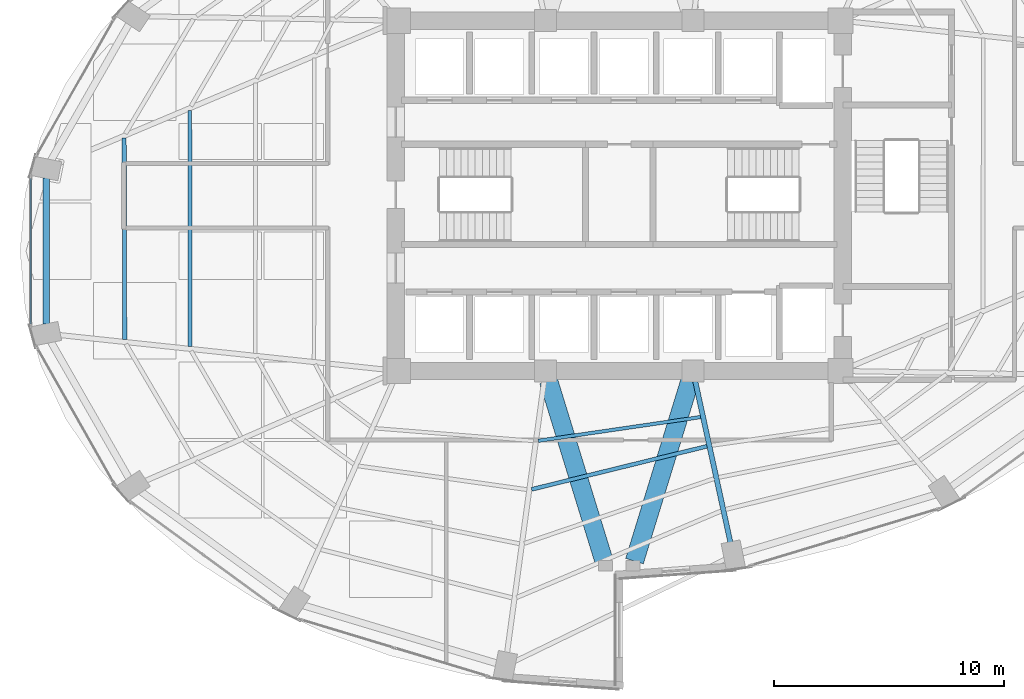
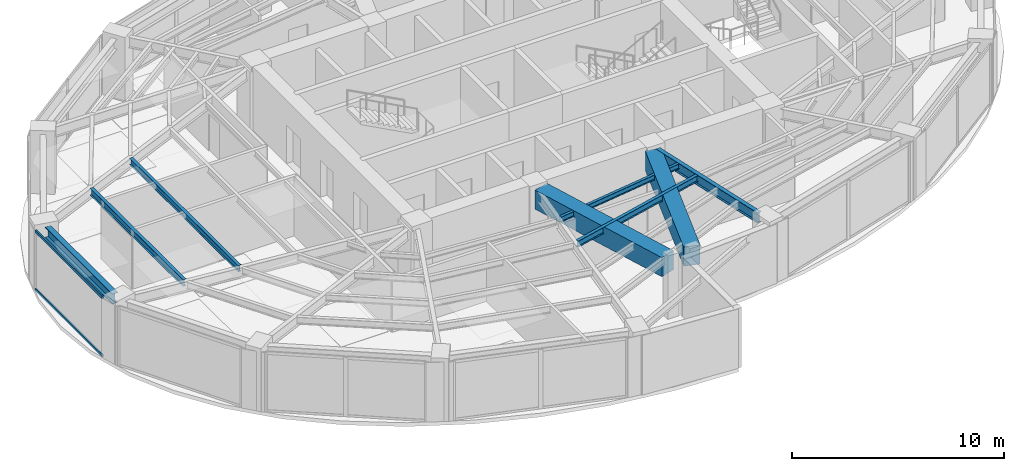
# One storey, part 7 of 23: 8 beams, 2 members, 1 element without a shape of its own.
"""IFC4 building model written with IfcOpenShell, lengths in metres."""

from ifc_helpers import new_model, si_unit, direction, frame, origin, origin_2d, place, context, subcontext, project, spatial, rectangle, hollow_rectangle, i_section, extrude, material, layer, layer_set, material_profile, profile_set, type_object, element, aggregate, save


model = new_model("IFC4")

# Units and contexts
model_context = context("Model", 3, precision=1e-05, world=origin(), true_north=direction((0.0, 1.0)))
body_context = subcontext(model_context, "Body", "Model", "MODEL_VIEW")
ifc_project = project(units=[si_unit("LENGTHUNIT", "METRE"), si_unit("AREAUNIT", "SQUARE_METRE"), si_unit("VOLUMEUNIT", "CUBIC_METRE"), si_unit("PLANEANGLEUNIT", "RADIAN"), si_unit("MASSUNIT", "GRAM", prefix="KILO")], contexts=[model_context])

# Site, building, storey
site_placement = place(None, origin())
site = spatial("IfcSite", under=ifc_project, at=site_placement, CompositionType="ELEMENT")
building_placement = place(site_placement, origin())
building = spatial("IfcBuilding", under=site, at=building_placement, Name="Lazwardi Medical Tower", CompositionType="ELEMENT")
storey_placement = place(building_placement, frame((0.0, 0.0, 121.8720703125)))
storey = spatial("IfcBuildingStorey", under=building, at=storey_placement, Name="L31", CompositionType="ELEMENT", Elevation=121.8720703125)

# Beams
ifc_material_1 = material(Name="Concrete C70/85", Category="concrete")
ifc_material_profile_1 = material_profile(ifc_material_1, rectangle(XDim=0.800048828125, YDim=1.10009765625, at=origin_2d()), Name="RC 800x1100")
ifc_profile_set_1 = profile_set([ifc_material_profile_1], Name="Concrete C70/85")
beam_type_1 = type_object("IfcBeamType", Name="BM-CB-RC1", PredefinedType="LINTEL", material=ifc_profile_set_1)
for number, where, z_axis, x_axis, name in (
    (1, (32.935302734375, 19.960205078125, 2.8779296875), (0.294073251002, -0.955782884888, 0.0), (0.955782884888, 0.294073251002, 0.0), "Core coupling lintel CB-01 PL3 L31"),
    (2, (39.064697265625, 19.960205078125, 2.8779296875), (-0.294073251002, -0.955782884888, 0.0), (0.955782884888, -0.294073251002, 0.0), "Core coupling lintel CB-01 PL4 L31"),
):
    element("IfcBeam", number, at=place(storey_placement, frame(where, z_axis=z_axis, x_axis=x_axis)), inside=storey, type_object=beam_type_1, Name=name, PredefinedType="LINTEL", context=body_context, shape_type="SweptSolid", body=[
        extrude(rectangle(XDim=0.800048828125, YDim=1.10009765625, at=origin_2d()), origin(), (0.0, 0.0, 1.0), 8.1708984375),
    ])
ifc_material_2 = material(Name="Steel S355", Category="steel")
ifc_material_profile_2 = material_profile(ifc_material_2, i_section(OverallWidth=0.300048828125, OverallDepth=0.60009765625, WebThickness=0.015380859375, FlangeThickness=0.030029296875, at=origin_2d()), Name="HEB 600")
ifc_profile_set_2 = profile_set([ifc_material_profile_2], Name="Steel S355")
beam_type_2 = type_object("IfcBeamType", Name="BM-RB-Z2", PredefinedType="BEAM", material=ifc_profile_set_2)
beam_1_placement = place(storey_placement, frame((11.13720703125, 28.77001953125, 3.1279296875), z_axis=(0.0, -1.0, 0.0), x_axis=(1.0, 0.0, 0.0)))
element("IfcBeam", 3, at=beam_1_placement, inside=storey, type_object=beam_type_2, Name="Ring beam RB-03 B12 L31", PredefinedType="BEAM", context=body_context, shape_type="SweptSolid", body=[
    extrude(i_section(OverallWidth=0.300048828125, OverallDepth=0.60009765625, WebThickness=0.015380859375, FlangeThickness=0.030029296875, at=origin_2d()), origin(), (0.0, 0.0, 1.0), 6.33984375),
])
ifc_material_profile_3 = material_profile(ifc_material_2, i_section(OverallWidth=0.219970703125, OverallDepth=0.60009765625, WebThickness=0.011962890625, FlangeThickness=0.01904296875, at=origin_2d()), Name="IPE 600")
ifc_profile_set_3 = profile_set([ifc_material_profile_3], Name="Steel S355")
beam_type_3 = type_object("IfcBeamType", Name="BM-RG-W1", PredefinedType="BEAM", material=ifc_profile_set_3)
beam_2_placement = place(storey_placement, frame((40.82177734375, 12.96923828125, 3.1279296875), z_axis=(-0.213228150441, 0.977002433907, 0.0), x_axis=(-0.977002433907, -0.213228150441, 0.0)))
element("IfcBeam", 4, at=beam_2_placement, inside=storey, type_object=beam_type_3, Name="Radial girder RG-02 R01 L31", PredefinedType="BEAM", context=body_context, shape_type="SweptSolid", body=[
    extrude(i_section(OverallWidth=0.219970703125, OverallDepth=0.60009765625, WebThickness=0.011962890625, FlangeThickness=0.01904296875, at=origin_2d()), origin(), (0.0, 0.0, 1.0), 7.145751953125),
])
ifc_material_profile_4 = material_profile(ifc_material_2, i_section(OverallWidth=0.179931640625, OverallDepth=0.39990234375, WebThickness=0.008544921875, FlangeThickness=0.013427734375, at=origin_2d()), Name="IPE 400")
ifc_profile_set_4 = profile_set([ifc_material_profile_4], Name="Steel S355")
beam_type_4 = type_object("IfcBeamType", Name="BM-SJ-01", PredefinedType="JOIST", material=ifc_profile_set_4)
beam_3_placement = place(storey_placement, frame((14.51904296875, 30.497314453125, 3.22802734375), z_axis=(0.002907126978, -0.999995774297, 0.0), x_axis=(0.999995774297, 0.002907126978, 0.0)))
element("IfcBeam", 5, at=beam_3_placement, inside=storey, type_object=beam_type_4, Name="Secondary joist SJ-01 R1 B12 L31", PredefinedType="JOIST", context=body_context, shape_type="SweptSolid", body=[
    extrude(i_section(OverallWidth=0.179931640625, OverallDepth=0.39990234375, WebThickness=0.008544921875, FlangeThickness=0.013427734375, at=origin_2d()), origin(), (0.0, 0.0, 1.0), 8.73388671875),
])
ifc_material_profile_5 = material_profile(ifc_material_2, i_section(OverallWidth=0.169921875, OverallDepth=0.360107421875, WebThickness=0.008056640625, FlangeThickness=0.0126953125, at=origin_2d()), Name="IPE 360")
ifc_profile_set_5 = profile_set([ifc_material_profile_5], Name="Steel S355")
beam_type_5 = type_object("IfcBeamType", Name="BM-SJ-02", PredefinedType="JOIST", material=ifc_profile_set_5)
beam_4_placement = place(storey_placement, frame((17.365966796875, 31.69482421875, 3.248046875), z_axis=(0.000930565095, -0.999999567024, 0.0), x_axis=(0.999999567024, 0.000930565095, 0.0)))
element("IfcBeam", 6, at=beam_4_placement, inside=storey, type_object=beam_type_5, Name="Secondary joist SJ-02 R2 B12 L31", PredefinedType="JOIST", context=body_context, shape_type="SweptSolid", body=[
    extrude(i_section(OverallWidth=0.169921875, OverallDepth=0.360107421875, WebThickness=0.008056640625, FlangeThickness=0.0126953125, at=origin_2d()), origin(), (0.0, 0.0, 1.0), 10.23193359375),
])
beam_5_placement = place(storey_placement, frame((32.19775390625, 15.262451171875, 3.248046875), z_axis=(0.97107737879, 0.238764998276, 0.0), x_axis=(-0.238764998276, 0.97107737879, 0.0)))
element("IfcBeam", 7, at=beam_5_placement, inside=storey, type_object=beam_type_5, Name="Secondary joist SJ-02 R3 B16 L31", PredefinedType="JOIST", context=body_context, shape_type="SweptSolid", body=[
    extrude(i_section(OverallWidth=0.169921875, OverallDepth=0.360107421875, WebThickness=0.008056640625, FlangeThickness=0.0126953125, at=origin_2d()), origin(), (0.0, 0.0, 1.0), 7.83447265625),
])
ifc_material_profile_6 = material_profile(ifc_material_2, i_section(OverallWidth=0.14990234375, OverallDepth=0.300048828125, WebThickness=0.007080078125, FlangeThickness=0.0107421875, at=origin_2d()), Name="IPE 300")
ifc_profile_set_6 = profile_set([ifc_material_profile_6], Name="Steel S355")
beam_type_6 = type_object("IfcBeamType", Name="BM-SJ-03", PredefinedType="JOIST", material=ifc_profile_set_6)
beam_6_placement = place(storey_placement, frame((32.488525390625, 17.37060546875, 3.27783203125), z_axis=(0.98949221477, 0.144586157392, 0.0), x_axis=(-0.144586157392, 0.98949221477, 0.0)))
element("IfcBeam", 8, at=beam_6_placement, inside=storey, type_object=beam_type_6, Name="Secondary joist SJ-03 R4 B16 L31", PredefinedType="JOIST", context=body_context, shape_type="SweptSolid", body=[
    extrude(i_section(OverallWidth=0.14990234375, OverallDepth=0.300048828125, WebThickness=0.007080078125, FlangeThickness=0.0107421875, at=origin_2d()), origin(), (0.0, 0.0, 1.0), 7.115478515625),
])

# Curtain wall, members
ifc_material_3 = material(Name="Anodised bronze aluminium and solar control glazing", Category="aluminium")
ifc_layer = layer(ifc_material_3, 0.195068359375)
ifc_layer_set = layer_set([ifc_layer], Name="Anodised bronze aluminium and solar control glazing")
curtain_wall_type = type_object("IfcCurtainWallType", Name="CW-SYS-03", PredefinedType="NOTDEFINED", material=ifc_layer_set)
curtain_wall_placement = place(storey_placement, origin())
curtain_wall = element("IfcCurtainWall", 9, at=curtain_wall_placement, inside=storey, type_object=curtain_wall_type, Name="L31 Unitised bronze curtain wall CW-03", PredefinedType="NOTDEFINED")
ifc_material_4 = material(Name="Anodised bronze aluminium", Category="aluminium")
ifc_material_profile_7 = material_profile(ifc_material_4, hollow_rectangle(XDim=0.074951171875, YDim=0.159912109375, WallThickness=0.00390625, at=origin_2d()), Name="ALU-TRANSOM 160x75x4")
ifc_profile_set_7 = profile_set([ifc_material_profile_7], Name="Anodised bronze aluminium")
member_type = type_object("IfcMemberType", Name="CW-TRN-01", PredefinedType="USERDEFINED", material=ifc_profile_set_7)
member_1_placement = place(storey_placement, frame((10.471923828125, 28.760009765625, 0.037353515625), z_axis=(0.0, -1.0, 0.0), x_axis=(1.0, 0.0, 0.0)))
member_1 = element("IfcMember", 10, at=member_1_placement, type_object=member_type, Name="CW-03 transom 1.1", ObjectType="TRANSOM", PredefinedType="USERDEFINED", context=body_context, shape_type="SweptSolid", body=[
    extrude(hollow_rectangle(XDim=0.074951171875, YDim=0.159912109375, WallThickness=0.00390625, at=origin_2d()), origin(), (0.0, 0.0, 1.0), 6.31982421875),
])
member_2_placement = place(storey_placement, frame((10.471923828125, 28.760009765625, 3.390380859375), z_axis=(0.0, -1.0, 0.0), x_axis=(1.0, 0.0, 0.0)))
member_2 = element("IfcMember", 11, at=member_2_placement, type_object=member_type, Name="CW-03 transom 1.2", ObjectType="TRANSOM", PredefinedType="USERDEFINED", context=body_context, shape_type="SweptSolid", body=[
    extrude(hollow_rectangle(XDim=0.074951171875, YDim=0.159912109375, WallThickness=0.00390625, at=origin_2d()), origin(), (0.0, 0.0, 1.0), 6.31982421875),
])
aggregate(curtain_wall, [member_1, member_2])

save(model, "model.ifc")
